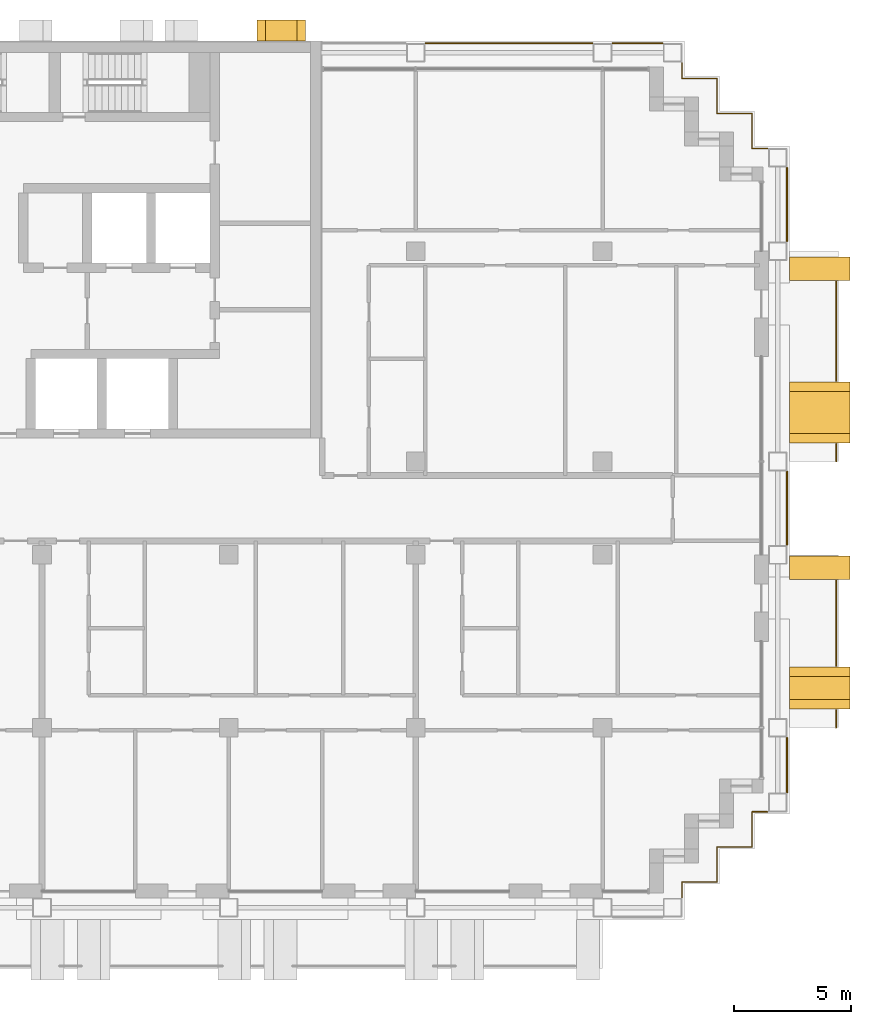
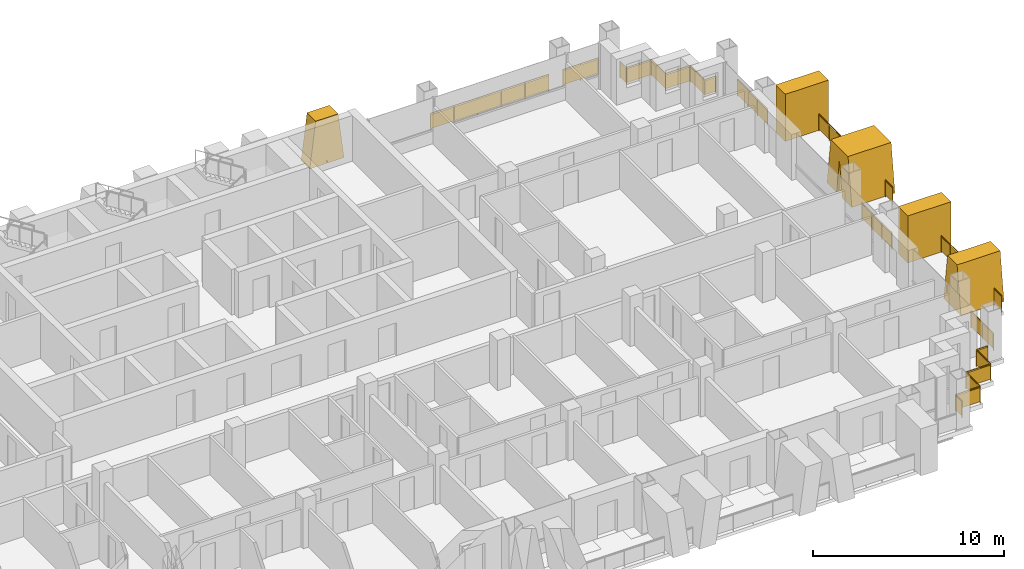
# One storey, part 18 of 18: 11 railings, 5 shading devices.
"""IFC4 building model written with IfcOpenShell, lengths in metres."""

from ifc_helpers import new_model, si_unit, direction, frame, origin, origin_2d, place, context, subcontext, project, spatial, polyline, rectangle, circle, outline, extrude, material, layer, layer_set, type_object, element, save


model = new_model("IFC4")

# Units and contexts
model_context = context("Model", 3, precision=1e-05, world=origin(), true_north=direction((0.0, 1.0)))
body_context = subcontext(model_context, "Body", "Model", "MODEL_VIEW")
ifc_project = project(units=[si_unit("LENGTHUNIT", "METRE"), si_unit("AREAUNIT", "SQUARE_METRE"), si_unit("VOLUMEUNIT", "CUBIC_METRE"), si_unit("PLANEANGLEUNIT", "RADIAN"), si_unit("MASSUNIT", "GRAM", prefix="KILO")], contexts=[model_context])

# Site, building, storey
site_placement = place(None, origin())
site = spatial("IfcSite", under=ifc_project, at=site_placement, CompositionType="ELEMENT")
building_placement = place(site_placement, origin())
building = spatial("IfcBuilding", under=site, at=building_placement, Name="Vidyagriha Tower", CompositionType="ELEMENT")
storey_placement = place(building_placement, frame((0.0, 0.0, 126.199951171875)))
storey = spatial("IfcBuildingStorey", under=building, at=storey_placement, Name="L32", CompositionType="ELEMENT", Elevation=126.199951171875)

# Railings
ifc_material_1 = material(Name="Steel ASTM A500 Grade C black painted", Category="steel")
railing_type_1 = type_object("IfcRailingType", Name="Balcony guard 1100", PredefinedType="BALUSTRADE", material=ifc_material_1)
railing_1_placement = place(storey_placement, frame((36.0, -9.39990234375, 0.0)))
element("IfcRailing", 1, at=railing_1_placement, inside=storey, type_object=railing_type_1, Name="Balcony guard L32 R30.1-1", PredefinedType="BALUSTRADE", context=body_context, shape_type="SweptSolid", body=[
    extrude(circle(Radius=0.02490234375, at=origin_2d()), frame((0.0, 0.0, 1.0751953125), z_axis=(0.0, 1.0, 0.0), x_axis=(-1.0, 0.0, 0.0)), (0.0, 0.0, 1.0), 0.75),
    extrude(circle(Radius=0.02001953125, at=origin_2d()), origin(), (0.0, 0.0, 1.0), 1.050048828125),
    extrude(circle(Radius=0.02001953125, at=origin_2d()), frame((0.0, 0.75, 0.0)), (0.0, 0.0, 1.0), 1.050048828125),
    extrude(rectangle(XDim=0.010009765625, YDim=0.900146484375, at=origin_2d()), frame((0.0, 0.0, 0.550048828125), z_axis=(0.0, 1.0, 0.0), x_axis=(-1.0, 0.0, 0.0)), (0.0, 0.0, 1.0), 0.75),
])
railing_2_placement = place(storey_placement, frame((36.0, -6.75, 0.0)))
element("IfcRailing", 2, at=railing_2_placement, inside=storey, type_object=railing_type_1, Name="Balcony guard L32 R30.1-2", PredefinedType="BALUSTRADE", context=body_context, shape_type="SweptSolid", body=[
    extrude(circle(Radius=0.02490234375, at=origin_2d()), frame((0.0, 0.0, 1.0751953125), z_axis=(0.0, 1.0, 0.0), x_axis=(-1.0, 0.0, 0.0)), (0.0, 0.0, 1.0), 3.64990234375),
    extrude(circle(Radius=0.02001953125, at=origin_2d()), origin(), (0.0, 0.0, 1.0), 1.050048828125),
    extrude(circle(Radius=0.02001953125, at=origin_2d()), frame((0.0, 0.91259765625, 0.0)), (0.0, 0.0, 1.0), 1.050048828125),
    extrude(circle(Radius=0.02001953125, at=origin_2d()), frame((0.0, 1.824951171875, 0.0)), (0.0, 0.0, 1.0), 1.050048828125),
    extrude(circle(Radius=0.02001953125, at=origin_2d()), frame((0.0, 2.7373046875, 0.0)), (0.0, 0.0, 1.0), 1.050048828125),
    extrude(circle(Radius=0.02001953125, at=origin_2d()), frame((0.0, 3.64990234375, 0.0)), (0.0, 0.0, 1.0), 1.050048828125),
    extrude(rectangle(XDim=0.010009765625, YDim=0.900146484375, at=origin_2d()), frame((0.0, 0.0, 0.550048828125), z_axis=(0.0, 1.0, 0.0), x_axis=(-1.0, 0.0, 0.0)), (0.0, 0.0, 1.0), 3.64990234375),
])
railing_3_placement = place(storey_placement, frame((36.0, 2.0, 0.0)))
element("IfcRailing", 3, at=railing_3_placement, inside=storey, type_object=railing_type_1, Name="Balcony guard L32 R30.2-1", PredefinedType="BALUSTRADE", context=body_context, shape_type="SweptSolid", body=[
    extrude(circle(Radius=0.02490234375, at=origin_2d()), frame((0.0, 0.0, 1.0751953125), z_axis=(0.0, 1.0, 0.0), x_axis=(-1.0, 0.0, 0.0)), (0.0, 0.0, 1.0), 0.75),
    extrude(circle(Radius=0.02001953125, at=origin_2d()), origin(), (0.0, 0.0, 1.0), 1.050048828125),
    extrude(circle(Radius=0.02001953125, at=origin_2d()), frame((0.0, 0.75, 0.0)), (0.0, 0.0, 1.0), 1.050048828125),
    extrude(rectangle(XDim=0.010009765625, YDim=0.900146484375, at=origin_2d()), frame((0.0, 0.0, 0.550048828125), z_axis=(0.0, 1.0, 0.0), x_axis=(-1.0, 0.0, 0.0)), (0.0, 0.0, 1.0), 0.75),
])
railing_4_placement = place(storey_placement, frame((36.0, 5.449951171875, 0.0)))
element("IfcRailing", 4, at=railing_4_placement, inside=storey, type_object=railing_type_1, Name="Balcony guard L32 R30.2-2", PredefinedType="BALUSTRADE", context=body_context, shape_type="SweptSolid", body=[
    extrude(circle(Radius=0.02490234375, at=origin_2d()), frame((0.0, 0.0, 1.0751953125), z_axis=(0.0, 1.0, 0.0), x_axis=(-1.0, 0.0, 0.0)), (0.0, 0.0, 1.0), 4.25),
    extrude(circle(Radius=0.02001953125, at=origin_2d()), origin(), (0.0, 0.0, 1.0), 1.050048828125),
    extrude(circle(Radius=0.02001953125, at=origin_2d()), frame((0.0, 1.0625, 0.0)), (0.0, 0.0, 1.0), 1.050048828125),
    extrude(circle(Radius=0.02001953125, at=origin_2d()), frame((0.0, 2.125, 0.0)), (0.0, 0.0, 1.0), 1.050048828125),
    extrude(circle(Radius=0.02001953125, at=origin_2d()), frame((0.0, 3.1875, 0.0)), (0.0, 0.0, 1.0), 1.050048828125),
    extrude(circle(Radius=0.02001953125, at=origin_2d()), frame((0.0, 4.25, 0.0)), (0.0, 0.0, 1.0), 1.050048828125),
    extrude(rectangle(XDim=0.010009765625, YDim=0.900146484375, at=origin_2d()), frame((0.0, 0.0, 0.550048828125), z_axis=(0.0, 1.0, 0.0), x_axis=(-1.0, 0.0, 0.0)), (0.0, 0.0, 1.0), 4.25),
])

# Shading devices
ifc_material_2 = material(Name="Precast concrete C40/50 with buff brick facing", Category="concrete")
ifc_layer_1 = layer(ifc_material_2, 1.0)
ifc_layer_set_1 = layer_set([ifc_layer_1], Name="Precast concrete C40/50 with buff brick facing")
shading_device_type_1 = type_object("IfcShadingDeviceType", Name="Brick-faced blade fin forking 8 degrees", PredefinedType="USERDEFINED", material=ifc_layer_set_1)
shading_device_1_placement = place(storey_placement, frame((35.300048828125, -8.60009765625, 0.0), z_axis=(0.0, 0.0, 1.0), x_axis=(0.0, 1.0, 0.0)))
element("IfcShadingDevice", 5, at=shading_device_1_placement, inside=storey, type_object=shading_device_type_1, Name="Forked blade fin L32 R30.220a", ObjectType="BLADE FIN", PredefinedType="USERDEFINED", context=body_context, shape_type="SweptSolid", body=[
    extrude(outline(polyline([(0.0, 0.0), (1.800048828125, 0.0), (1.39990234375, 3.0), (0.39990234375, 3.0), (0.0, 0.0)])), frame((0.0, 1.300048828125, 0.0), z_axis=(0.0, -1.0, 0.0), x_axis=(1.0, 0.0, 0.0)), (0.0, 0.0, 1.0), 2.60009765625),
])
shading_device_2_placement = place(storey_placement, frame((35.300048828125, 2.800048828125, 0.0), z_axis=(0.0, 0.0, 1.0), x_axis=(0.0, 1.0, 0.0)))
element("IfcShadingDevice", 6, at=shading_device_2_placement, inside=storey, type_object=shading_device_type_1, Name="Forked blade fin L32 R30.1360a", ObjectType="BLADE FIN", PredefinedType="USERDEFINED", context=body_context, shape_type="SweptSolid", body=[
    extrude(outline(polyline([(1.0, 0.0), (1.300048828125, 2.25), (1.60009765625, 0.0), (2.60009765625, 0.0), (2.199951171875, 3.0), (0.39990234375, 3.0), (0.0, 0.0), (1.0, 0.0)])), frame((0.0, 1.300048828125, 0.0), z_axis=(0.0, -1.0, 0.0), x_axis=(1.0, 0.0, 0.0)), (0.0, 0.0, 1.0), 2.60009765625),
])
ifc_material_3 = material(Name="Precast concrete C40/50 with buff brick facing", Category="concrete")
ifc_layer_2 = layer(ifc_material_3, 1.0)
ifc_layer_set_2 = layer_set([ifc_layer_2], Name="Precast concrete C40/50 with buff brick facing")
shading_device_type_2 = type_object("IfcShadingDeviceType", Name="Brick-faced blade fin stem 1000", PredefinedType="USERDEFINED", material=ifc_layer_set_2)
for number, where, z_axis, x_axis, name in (
    (7, (35.300048828125, -3.050048828125, 0.0), (0.0, 0.0, 1.0), (0.0, 1.0, 0.0), "Stem blade fin L32 R30.960a"),
    (8, (35.300048828125, 9.75, 0.0), (0.0, 0.0, 1.0), (0.0, 1.0, 0.0), "Stem blade fin L32 R30.2260a"),
):
    element("IfcShadingDevice", number, at=place(storey_placement, frame(where, z_axis=z_axis, x_axis=x_axis)), inside=storey, type_object=shading_device_type_2, Name=name, ObjectType="BLADE FIN", PredefinedType="USERDEFINED", context=body_context, shape_type="SweptSolid", body=[
        extrude(outline(polyline([(0.0, 0.0), (1.0, 0.0), (1.0, 3.0), (0.0, 3.0), (0.0, 0.0)])), frame((0.0, 1.300048828125, 0.0), z_axis=(0.0, -1.0, 0.0), x_axis=(1.0, 0.0, 0.0)), (0.0, 0.0, 1.0), 2.60009765625),
    ])
ifc_material_4 = material(Name="Precast concrete C40/50 with brick facing", Category="concrete")
ifc_layer_3 = layer(ifc_material_4, 1.0)
ifc_layer_set_3 = layer_set([ifc_layer_3], Name="Precast concrete C40/50 with brick facing")
shading_device_type_3 = type_object("IfcShadingDeviceType", Name="Brick-faced rear rib forking 8 degrees", PredefinedType="USERDEFINED", material=ifc_layer_set_3)
shading_device_3_placement = place(storey_placement, frame((13.28564453125, 20.449951171875, 0.0), z_axis=(0.0, 0.0, 1.0), x_axis=(-1.0, 0.0, 0.0)))
element("IfcShadingDevice", 9, at=shading_device_3_placement, inside=storey, type_object=shading_device_type_3, Name="Rear rib fork L32 R08.1a", ObjectType="BLADE FIN", PredefinedType="USERDEFINED", context=body_context, shape_type="SweptSolid", body=[
    extrude(outline(polyline([(1.0, 0.0), (1.03564453125, 0.2919921875), (1.0712890625, 0.0), (2.0712890625, 0.0), (1.71435546875, 2.920166015625), (0.357177734375, 2.920166015625), (0.0, 0.0), (1.0, 0.0)])), frame((0.0, 0.449951171875, 0.0), z_axis=(0.0, -1.0, 0.0), x_axis=(1.0, 0.0, 0.0)), (0.0, 0.0, 1.0), 0.89990234375),
])

# Railings
ifc_material_5 = material(Name="Steel ASTM A500 Grade C black painted", Category="steel")
railing_type_2 = type_object("IfcRailingType", Name="Gallery guard 1100", PredefinedType="GUARDRAIL", material=ifc_material_5)
railing_5_placement = place(storey_placement, frame((18.429931640625, 19.89990234375, 0.0)))
element("IfcRailing", 10, at=railing_5_placement, inside=storey, type_object=railing_type_2, Name="Gallery guard L32 10", PredefinedType="GUARDRAIL", context=body_context, shape_type="SweptSolid", body=[
    extrude(circle(Radius=0.02490234375, at=origin_2d()), frame((0.0, 0.0, 1.0751953125), z_axis=(1.0, 0.0, 0.0), x_axis=(0.0, 1.0, 0.0)), (0.0, 0.0, 1.0), 7.14013671875),
    extrude(circle(Radius=0.02001953125, at=origin_2d()), origin(), (0.0, 0.0, 1.0), 1.050048828125),
    extrude(circle(Radius=0.02001953125, at=origin_2d()), frame((1.427978515625, 0.0, 0.0)), (0.0, 0.0, 1.0), 1.050048828125),
    extrude(circle(Radius=0.02001953125, at=origin_2d()), frame((2.85595703125, 0.0, 0.0)), (0.0, 0.0, 1.0), 1.050048828125),
    extrude(circle(Radius=0.02001953125, at=origin_2d()), frame((4.2841796875, 0.0, 0.0)), (0.0, 0.0, 1.0), 1.050048828125),
    extrude(circle(Radius=0.02001953125, at=origin_2d()), frame((5.712158203125, 0.0, 0.0)), (0.0, 0.0, 1.0), 1.050048828125),
    extrude(circle(Radius=0.02001953125, at=origin_2d()), frame((7.14013671875, 0.0, 0.0)), (0.0, 0.0, 1.0), 1.050048828125),
    extrude(rectangle(XDim=0.010009765625, YDim=0.900146484375, at=origin_2d()), frame((0.0, 0.0, 0.550048828125), z_axis=(1.0, 0.0, 0.0), x_axis=(0.0, 1.0, 0.0)), (0.0, 0.0, 1.0), 7.14013671875),
])
railing_6_placement = place(storey_placement, frame((26.429931640625, 19.89990234375, 0.0)))
element("IfcRailing", 11, at=railing_6_placement, inside=storey, type_object=railing_type_2, Name="Gallery guard L32 12", PredefinedType="GUARDRAIL", context=body_context, shape_type="SweptSolid", body=[
    extrude(circle(Radius=0.02490234375, at=origin_2d()), frame((0.0, 0.0, 1.0751953125), z_axis=(1.0, 0.0, 0.0), x_axis=(0.0, 1.0, 0.0)), (0.0, 0.0, 1.0), 2.14013671875),
    extrude(circle(Radius=0.02001953125, at=origin_2d()), origin(), (0.0, 0.0, 1.0), 1.050048828125),
    extrude(circle(Radius=0.02001953125, at=origin_2d()), frame((1.070068359375, 0.0, 0.0)), (0.0, 0.0, 1.0), 1.050048828125),
    extrude(circle(Radius=0.02001953125, at=origin_2d()), frame((2.14013671875, 0.0, 0.0)), (0.0, 0.0, 1.0), 1.050048828125),
    extrude(rectangle(XDim=0.010009765625, YDim=0.900146484375, at=origin_2d()), frame((0.0, 0.0, 0.550048828125), z_axis=(1.0, 0.0, 0.0), x_axis=(0.0, 1.0, 0.0)), (0.0, 0.0, 1.0), 2.14013671875),
])
railing_7_placement = place(storey_placement, frame((33.070068359375, -13.0, 0.0)))
element("IfcRailing", 12, at=railing_7_placement, inside=storey, type_object=railing_type_2, Name="Gallery guard L32 13", PredefinedType="GUARDRAIL", context=body_context, shape_type="SweptSolid", body=[
    extrude(circle(Radius=0.02490234375, at=origin_2d()), frame((0.0, 0.0, 1.0751953125), z_axis=(-1.0, 0.0, 0.0), x_axis=(0.0, -1.0, 0.0)), (0.0, 0.0, 1.0), 0.670166015625),
    extrude(circle(Radius=0.02490234375, at=origin_2d()), frame((-0.670166015625, 0.0, 1.0751953125), z_axis=(0.0, -1.0, 0.0), x_axis=(1.0, 0.0, 0.0)), (0.0, 0.0, 1.0), 1.5),
    extrude(circle(Radius=0.02490234375, at=origin_2d()), frame((-0.670166015625, -1.5, 1.0751953125), z_axis=(-1.0, 0.0, 0.0), x_axis=(0.0, -1.0, 0.0)), (0.0, 0.0, 1.0), 1.5),
    extrude(circle(Radius=0.02490234375, at=origin_2d()), frame((-2.170166015625, -1.5, 1.0751953125), z_axis=(0.0, -1.0, 0.0), x_axis=(1.0, 0.0, 0.0)), (0.0, 0.0, 1.0), 1.5),
    extrude(circle(Radius=0.02490234375, at=origin_2d()), frame((-2.170166015625, -3.0, 1.0751953125), z_axis=(-1.0, 0.0, 0.0), x_axis=(0.0, -1.0, 0.0)), (0.0, 0.0, 1.0), 1.5),
    extrude(circle(Radius=0.02490234375, at=origin_2d()), frame((-3.670166015625, -3.0, 1.0751953125), z_axis=(0.0, -1.0, 0.0), x_axis=(1.0, 0.0, 0.0)), (0.0, 0.0, 1.0), 0.669921875),
    extrude(circle(Radius=0.02001953125, at=origin_2d()), origin(), (0.0, 0.0, 1.0), 1.050048828125),
    extrude(circle(Radius=0.02001953125, at=origin_2d()), frame((-0.670166015625, 0.0, 0.0)), (0.0, 0.0, 1.0), 1.050048828125),
    extrude(circle(Radius=0.02001953125, at=origin_2d()), frame((-0.670166015625, -1.5, 0.0)), (0.0, 0.0, 1.0), 1.050048828125),
    extrude(circle(Radius=0.02001953125, at=origin_2d()), frame((-2.170166015625, -1.5, 0.0)), (0.0, 0.0, 1.0), 1.050048828125),
    extrude(circle(Radius=0.02001953125, at=origin_2d()), frame((-2.170166015625, -3.0, 0.0)), (0.0, 0.0, 1.0), 1.050048828125),
    extrude(circle(Radius=0.02001953125, at=origin_2d()), frame((-3.670166015625, -3.0, 0.0)), (0.0, 0.0, 1.0), 1.050048828125),
    extrude(circle(Radius=0.02001953125, at=origin_2d()), frame((-3.670166015625, -3.669921875, 0.0)), (0.0, 0.0, 1.0), 1.050048828125),
    extrude(rectangle(XDim=0.010009765625, YDim=0.900146484375, at=origin_2d()), frame((0.0, 0.0, 0.550048828125), z_axis=(-1.0, 0.0, 0.0), x_axis=(0.0, -1.0, 0.0)), (0.0, 0.0, 1.0), 0.670166015625),
    extrude(rectangle(XDim=0.010009765625, YDim=0.900146484375, at=origin_2d()), frame((-0.670166015625, 0.0, 0.550048828125), z_axis=(0.0, -1.0, 0.0), x_axis=(1.0, 0.0, 0.0)), (0.0, 0.0, 1.0), 1.5),
    extrude(rectangle(XDim=0.010009765625, YDim=0.900146484375, at=origin_2d()), frame((-0.670166015625, -1.5, 0.550048828125), z_axis=(-1.0, 0.0, 0.0), x_axis=(0.0, -1.0, 0.0)), (0.0, 0.0, 1.0), 1.5),
    extrude(rectangle(XDim=0.010009765625, YDim=0.900146484375, at=origin_2d()), frame((-2.170166015625, -1.5, 0.550048828125), z_axis=(0.0, -1.0, 0.0), x_axis=(1.0, 0.0, 0.0)), (0.0, 0.0, 1.0), 1.5),
    extrude(rectangle(XDim=0.010009765625, YDim=0.900146484375, at=origin_2d()), frame((-2.170166015625, -3.0, 0.550048828125), z_axis=(-1.0, 0.0, 0.0), x_axis=(0.0, -1.0, 0.0)), (0.0, 0.0, 1.0), 1.5),
    extrude(rectangle(XDim=0.010009765625, YDim=0.900146484375, at=origin_2d()), frame((-3.670166015625, -3.0, 0.550048828125), z_axis=(0.0, -1.0, 0.0), x_axis=(1.0, 0.0, 0.0)), (0.0, 0.0, 1.0), 0.669921875),
])
railing_8_placement = place(storey_placement, frame((29.39990234375, 19.070068359375, 0.0)))
element("IfcRailing", 13, at=railing_8_placement, inside=storey, type_object=railing_type_2, Name="Gallery guard L32 14", PredefinedType="GUARDRAIL", context=body_context, shape_type="SweptSolid", body=[
    extrude(circle(Radius=0.02490234375, at=origin_2d()), frame((0.0, 0.0, 1.0751953125), z_axis=(0.0, -1.0, 0.0), x_axis=(1.0, 0.0, 0.0)), (0.0, 0.0, 1.0), 0.670166015625),
    extrude(circle(Radius=0.02490234375, at=origin_2d()), frame((0.0, -0.670166015625, 1.0751953125), z_axis=(1.0, 0.0, 0.0), x_axis=(0.0, 1.0, 0.0)), (0.0, 0.0, 1.0), 1.5),
    extrude(circle(Radius=0.02490234375, at=origin_2d()), frame((1.5, -0.670166015625, 1.0751953125), z_axis=(0.0, -1.0, 0.0), x_axis=(1.0, 0.0, 0.0)), (0.0, 0.0, 1.0), 1.5),
    extrude(circle(Radius=0.02490234375, at=origin_2d()), frame((1.5, -2.170166015625, 1.0751953125), z_axis=(1.0, 0.0, 0.0), x_axis=(0.0, 1.0, 0.0)), (0.0, 0.0, 1.0), 1.5),
    extrude(circle(Radius=0.02490234375, at=origin_2d()), frame((3.0, -2.170166015625, 1.0751953125), z_axis=(0.0, -1.0, 0.0), x_axis=(1.0, 0.0, 0.0)), (0.0, 0.0, 1.0), 1.5),
    extrude(circle(Radius=0.02490234375, at=origin_2d()), frame((3.0, -3.670166015625, 1.0751953125), z_axis=(1.0, 0.0, 0.0), x_axis=(0.0, 1.0, 0.0)), (0.0, 0.0, 1.0), 0.670166015625),
    extrude(circle(Radius=0.02001953125, at=origin_2d()), origin(), (0.0, 0.0, 1.0), 1.050048828125),
    extrude(circle(Radius=0.02001953125, at=origin_2d()), frame((0.0, -0.670166015625, 0.0)), (0.0, 0.0, 1.0), 1.050048828125),
    extrude(circle(Radius=0.02001953125, at=origin_2d()), frame((1.5, -0.670166015625, 0.0)), (0.0, 0.0, 1.0), 1.050048828125),
    extrude(circle(Radius=0.02001953125, at=origin_2d()), frame((1.5, -2.170166015625, 0.0)), (0.0, 0.0, 1.0), 1.050048828125),
    extrude(circle(Radius=0.02001953125, at=origin_2d()), frame((3.0, -2.170166015625, 0.0)), (0.0, 0.0, 1.0), 1.050048828125),
    extrude(circle(Radius=0.02001953125, at=origin_2d()), frame((3.0, -3.670166015625, 0.0)), (0.0, 0.0, 1.0), 1.050048828125),
    extrude(circle(Radius=0.02001953125, at=origin_2d()), frame((3.670166015625, -3.670166015625, 0.0)), (0.0, 0.0, 1.0), 1.050048828125),
    extrude(rectangle(XDim=0.010009765625, YDim=0.900146484375, at=origin_2d()), frame((0.0, 0.0, 0.550048828125), z_axis=(0.0, -1.0, 0.0), x_axis=(1.0, 0.0, 0.0)), (0.0, 0.0, 1.0), 0.670166015625),
    extrude(rectangle(XDim=0.010009765625, YDim=0.900146484375, at=origin_2d()), frame((0.0, -0.670166015625, 0.550048828125), z_axis=(1.0, 0.0, 0.0), x_axis=(0.0, 1.0, 0.0)), (0.0, 0.0, 1.0), 1.5),
    extrude(rectangle(XDim=0.010009765625, YDim=0.900146484375, at=origin_2d()), frame((1.5, -0.670166015625, 0.550048828125), z_axis=(0.0, -1.0, 0.0), x_axis=(1.0, 0.0, 0.0)), (0.0, 0.0, 1.0), 1.5),
    extrude(rectangle(XDim=0.010009765625, YDim=0.900146484375, at=origin_2d()), frame((1.5, -2.170166015625, 0.550048828125), z_axis=(1.0, 0.0, 0.0), x_axis=(0.0, 1.0, 0.0)), (0.0, 0.0, 1.0), 1.5),
    extrude(rectangle(XDim=0.010009765625, YDim=0.900146484375, at=origin_2d()), frame((3.0, -2.170166015625, 0.550048828125), z_axis=(0.0, -1.0, 0.0), x_axis=(1.0, 0.0, 0.0)), (0.0, 0.0, 1.0), 1.5),
    extrude(rectangle(XDim=0.010009765625, YDim=0.900146484375, at=origin_2d()), frame((3.0, -3.670166015625, 0.550048828125), z_axis=(1.0, 0.0, 0.0), x_axis=(0.0, 1.0, 0.0)), (0.0, 0.0, 1.0), 0.670166015625),
])
railing_9_placement = place(storey_placement, frame((33.89990234375, -9.830078125, 0.0)))
element("IfcRailing", 14, at=railing_9_placement, inside=storey, type_object=railing_type_2, Name="Gallery guard L32 15", PredefinedType="GUARDRAIL", context=body_context, shape_type="SweptSolid", body=[
    extrude(circle(Radius=0.02490234375, at=origin_2d()), frame((0.0, 0.0, 1.0751953125), z_axis=(0.0, -1.0, 0.0), x_axis=(1.0, 0.0, 0.0)), (0.0, 0.0, 1.0), 2.33984375),
    extrude(circle(Radius=0.02001953125, at=origin_2d()), origin(), (0.0, 0.0, 1.0), 1.050048828125),
    extrude(circle(Radius=0.02001953125, at=origin_2d()), frame((0.0, -1.169921875, 0.0)), (0.0, 0.0, 1.0), 1.050048828125),
    extrude(circle(Radius=0.02001953125, at=origin_2d()), frame((0.0, -2.33984375, 0.0)), (0.0, 0.0, 1.0), 1.050048828125),
    extrude(rectangle(XDim=0.010009765625, YDim=0.900146484375, at=origin_2d()), frame((0.0, 0.0, 0.550048828125), z_axis=(0.0, -1.0, 0.0), x_axis=(1.0, 0.0, 0.0)), (0.0, 0.0, 1.0), 2.33984375),
])
for number, where, name in (
    (15, (33.89990234375, 1.570068359375, 0.0), "Gallery guard L32 16"),
    (16, (33.89990234375, 14.570068359375, 0.0), "Gallery guard L32 17"),
):
    element("IfcRailing", number, at=place(storey_placement, frame(where)), inside=storey, type_object=railing_type_2, Name=name, PredefinedType="GUARDRAIL", context=body_context, shape_type="SweptSolid", body=[
        extrude(circle(Radius=0.02490234375, at=origin_2d()), frame((0.0, 0.0, 1.0751953125), z_axis=(0.0, -1.0, 0.0), x_axis=(1.0, 0.0, 0.0)), (0.0, 0.0, 1.0), 3.14013671875),
        extrude(circle(Radius=0.02001953125, at=origin_2d()), origin(), (0.0, 0.0, 1.0), 1.050048828125),
        extrude(circle(Radius=0.02001953125, at=origin_2d()), frame((0.0, -1.046630859375, 0.0)), (0.0, 0.0, 1.0), 1.050048828125),
        extrude(circle(Radius=0.02001953125, at=origin_2d()), frame((0.0, -2.093505859375, 0.0)), (0.0, 0.0, 1.0), 1.050048828125),
        extrude(circle(Radius=0.02001953125, at=origin_2d()), frame((0.0, -3.14013671875, 0.0)), (0.0, 0.0, 1.0), 1.050048828125),
        extrude(rectangle(XDim=0.010009765625, YDim=0.900146484375, at=origin_2d()), frame((0.0, 0.0, 0.550048828125), z_axis=(0.0, -1.0, 0.0), x_axis=(1.0, 0.0, 0.0)), (0.0, 0.0, 1.0), 3.14013671875),
    ])

save(model, "model.ifc")
